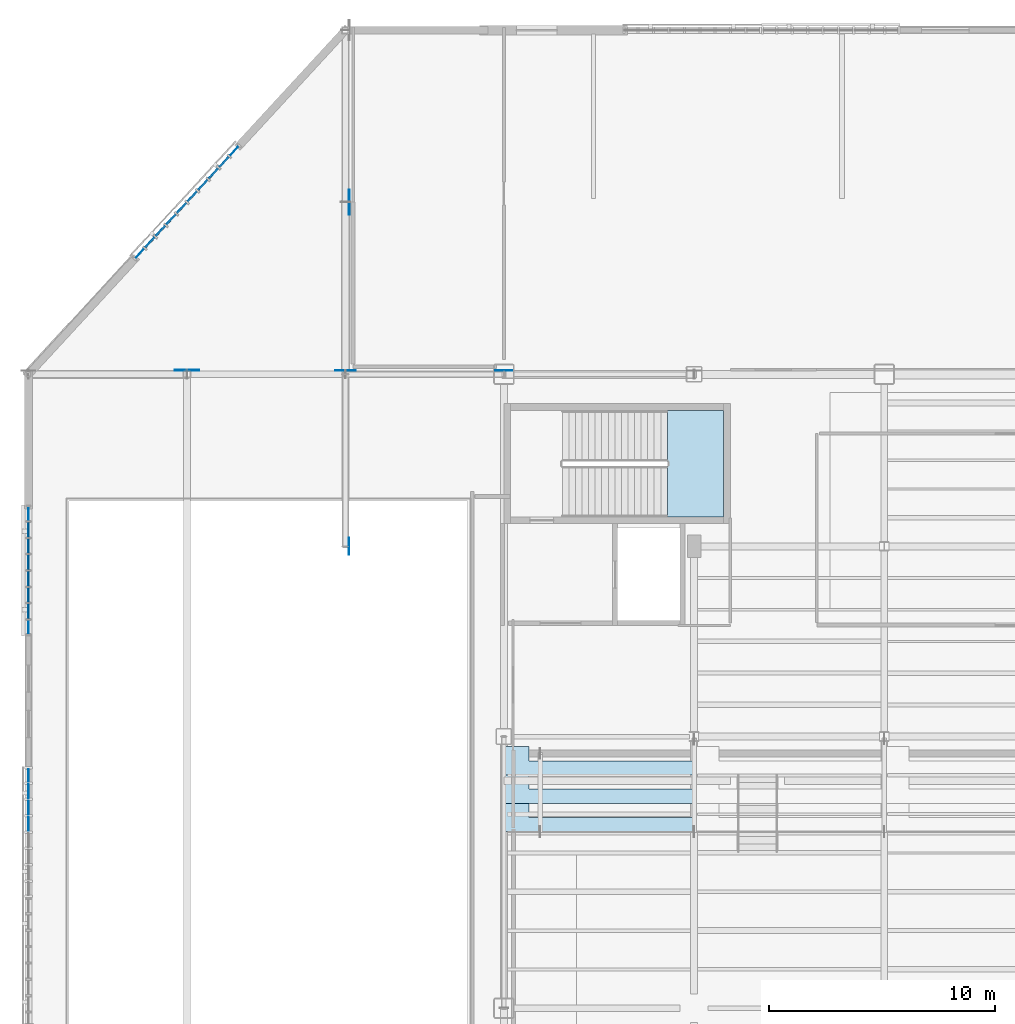
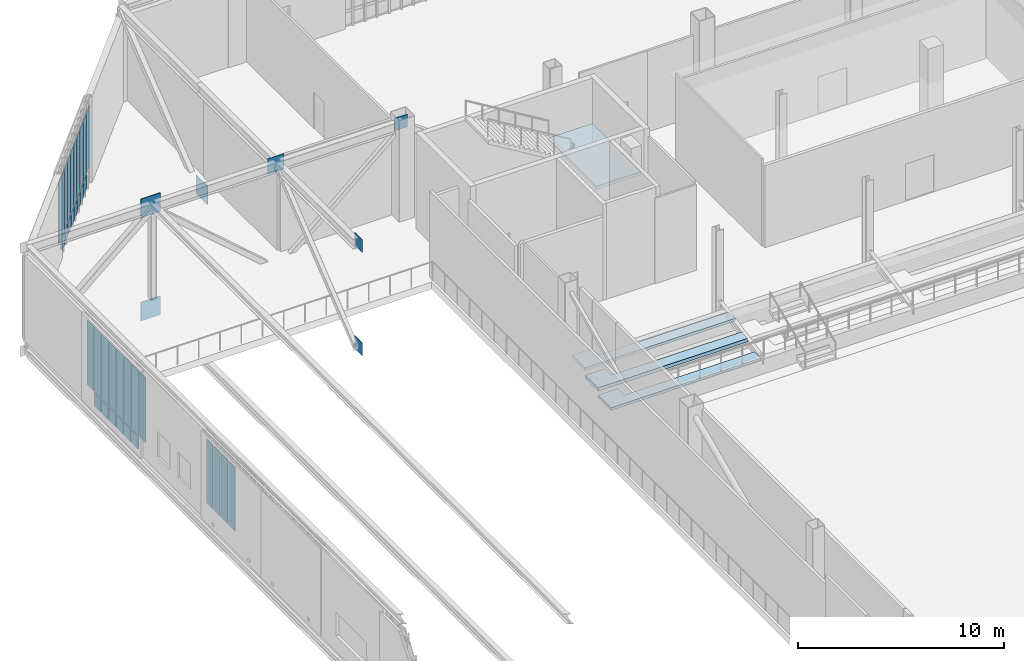
# One storey, part 73 of 135: 43 plates, 4 slabs, 4 elements without a shape of their own.
"""IFC4 building model written with IfcOpenShell, lengths in metres."""

import ifcopenshell
import ifcopenshell.guid

model = None  # the IFC model being written
_history = None  # IfcOwnerHistory: only IFC2X3 demands one
_inside = {}  # id of a spatial element -> (the spatial element, [elements in it])
_under = {}  # id of a project, library or spatial element -> (it, [spatial elements below it])
_declared = {}  # id of a project -> (the project, [libraries it declares])
_typed = {}  # id of a type object -> (the type object, [elements of that type])
_made_of = {}  # id of a material, layer set ... -> (it, [elements and type objects made of it])


def new_model(schema):
    """Start an empty IFC model of exactly this schema.

    Asked for "IFC4X3", IfcOpenShell would pick the latest addendum, in which some entities
    have other attributes; the version numbers below select the first issue.
    IFC2X3 requires an IfcOwnerHistory on every rooted entity: one is made here for all.
    """
    global model, _history
    if schema == "IFC4X3":
        model = ifcopenshell.file(schema_version=(4, 3, 0, 0))
    else:
        model = ifcopenshell.file(schema=schema)
    _inside.clear()
    _under.clear()
    _declared.clear()
    _typed.clear()
    _made_of.clear()
    _history = None
    if model.schema == "IFC2X3":
        org = make("IfcOrganization", Name="unknown")
        user = make(
            "IfcPersonAndOrganization",
            ThePerson=make("IfcPerson", FamilyName="unknown"),
            TheOrganization=org,
        )
        app = make(
            "IfcApplication",
            ApplicationDeveloper=org,
            Version="unknown",
            ApplicationFullName="unknown",
            ApplicationIdentifier="unknown",
        )
        _history = make(
            "IfcOwnerHistory",
            OwningUser=user,
            OwningApplication=app,
            ChangeAction="ADDED",
            CreationDate=0,
        )
    return model


def make(cls, **values):
    """One entity of the class cls with the attributes given. An attribute that is None is left unset."""
    return model.create_entity(
        cls, **{name: value for name, value in values.items() if value is not None}
    )


def rooted(cls, **values):
    """An entity with a GlobalId (a new one), such as an element, a storey or a relation."""
    return make(cls, GlobalId=ifcopenshell.guid.new(), OwnerHistory=_history, **values)


def si_unit(unit_type, name, prefix=None):
    """IfcSIUnit, for example si_unit("LENGTHUNIT", "METRE", prefix="MILLI")."""
    return make("IfcSIUnit", UnitType=unit_type, Prefix=prefix, Name=name)


def assignment(units):
    """IfcUnitAssignment: the units of a project."""
    return None if units is None else make("IfcUnitAssignment", Units=units)


def point(xyz):
    """IfcCartesianPoint."""
    return None if xyz is None else make("IfcCartesianPoint", Coordinates=xyz)


def direction(xyz):
    """IfcDirection."""
    return None if xyz is None else make("IfcDirection", DirectionRatios=xyz)


def frame(location, z_axis=None, x_axis=None):
    """IfcAxis2Placement3D, a coordinate frame: its origin and axes. An axis left out is left unset."""
    return make(
        "IfcAxis2Placement3D",
        Location=point(location),
        Axis=direction(z_axis),
        RefDirection=direction(x_axis),
    )


def frame_2d(location, x_axis=None):
    """IfcAxis2Placement2D, a coordinate frame in the plane: its origin and x axis."""
    return make(
        "IfcAxis2Placement2D", Location=point(location), RefDirection=direction(x_axis)
    )


def origin():
    """The frame at (0, 0, 0) with its axes left unset."""
    return frame((0.0, 0.0, 0.0))


def origin_2d():
    """The frame at (0, 0) in the plane with its x axis left unset."""
    return frame_2d((0.0, 0.0))


def place(relative_to, where):
    """IfcLocalPlacement: puts the frame where relative to a parent placement (None: the world)."""
    return make(
        "IfcLocalPlacement", PlacementRelTo=relative_to, RelativePlacement=where
    )


def context(
    kind, dimensions, precision=None, world=None, true_north=None, identifier=None
):
    """IfcGeometricRepresentationContext, for example the 3D "Model" context."""
    return make(
        "IfcGeometricRepresentationContext",
        ContextIdentifier=identifier,
        ContextType=kind,
        CoordinateSpaceDimension=dimensions,
        Precision=precision,
        WorldCoordinateSystem=world,
        TrueNorth=true_north,
    )


def subcontext(parent, identifier, kind, view, scale=None):
    """IfcGeometricRepresentationSubContext, for example "Body" below "Model"."""
    return make(
        "IfcGeometricRepresentationSubContext",
        ContextIdentifier=identifier,
        ContextType=kind,
        ParentContext=parent,
        TargetScale=scale,
        TargetView=view,
    )


def project(units=None, contexts=None):
    """IfcProject with its units and contexts."""
    return rooted(
        "IfcProject",
        Name="project",
        RepresentationContexts=contexts,
        UnitsInContext=assignment(units),
    )


def spatial(cls, under=None, at=None, **own):
    """A site, building, storey or space (cls), placed at a placement, below another one or the project."""
    s = rooted(cls, ObjectPlacement=at, **own)
    if under is not None:
        _under.setdefault(under.id(), (under, []))[1].append(s)
    return s


def polyline(points):
    """IfcPolyline through the points."""
    return make("IfcPolyline", Points=[point(p) for p in points])


def profile(cls, at=None, kind="AREA", **sizes):
    """A parametric profile (cls). Its sizes go by their IFC names, for example OverallWidth=200.0."""
    return make(cls, ProfileType=kind, Position=at, **sizes)


def rectangle(**sizes):
    """IfcRectangleProfileDef."""
    return profile("IfcRectangleProfileDef", **sizes)


def outline(outer, holes=None, kind="AREA"):
    """IfcArbitraryClosedProfileDef: a profile drawn as a closed curve; with holes, ...WithVoids."""
    if holes is None:
        return make("IfcArbitraryClosedProfileDef", ProfileType=kind, OuterCurve=outer)
    return make(
        "IfcArbitraryProfileDefWithVoids",
        ProfileType=kind,
        OuterCurve=outer,
        InnerCurves=holes,
    )


def extrude(swept, where, along, depth):
    """IfcExtrudedAreaSolid: the profile swept, set in the frame where, extruded along a direction by depth."""
    return make(
        "IfcExtrudedAreaSolid",
        SweptArea=swept,
        Position=where,
        ExtrudedDirection=direction(along),
        Depth=depth,
    )


def shape(context_of_items, identifier, shape_type, items):
    """IfcShapeRepresentation: the items that make up one representation, for example the "Body"."""
    return make(
        "IfcShapeRepresentation",
        ContextOfItems=context_of_items,
        RepresentationIdentifier=identifier,
        RepresentationType=shape_type,
        Items=items,
    )


def material(Name=None, Category=None):
    """IfcMaterial."""
    return make("IfcMaterial", Name=Name, Category=Category)


def layer(
    of_material, thickness, ventilated=None, Name=None, Category=None, Priority=None
):
    """IfcMaterialLayer: one layer of a wall or slab, of a material (None: an air gap)."""
    return make(
        "IfcMaterialLayer",
        Material=of_material,
        LayerThickness=thickness,
        IsVentilated=ventilated,
        Name=Name,
        Category=Category,
        Priority=Priority,
    )


def layer_set(layers, Name=None):
    """IfcMaterialLayerSet."""
    return make("IfcMaterialLayerSet", MaterialLayers=layers, LayerSetName=Name)


def made_of(thing, what):
    """Note that an element or type object is made of a material, layer set ...; save() writes the relation."""
    if what is not None:
        _made_of.setdefault(what.id(), (what, []))[1].append(thing)
    return thing


def type_object(cls, material=None, **own):
    """A type object (cls), such as IfcWallType, which elements share."""
    return made_of(rooted(cls, **own), material)


def element(
    cls,
    number,
    at=None,
    inside=None,
    cuts=None,
    type_object=None,
    material=None,
    context=None,
    identifier="Body",
    shape_type=None,
    held_by="IfcProductDefinitionShape",
    body=None,
    shapes=None,
    **own,
):
    """One element of the class cls, such as IfcWall. Its Tag is "e" and its number.

    at: its placement. inside: the storey or other place that contains it. cuts: it is an
    opening in that element (IfcRelVoidsElement). A single representation is given by context,
    identifier, shape_type and body (its items); several are given by shapes. held_by: the class
    of the entity that holds the representations. save() writes the other relations.
    """
    e = rooted(cls, Tag="e%d" % number, ObjectPlacement=at, **own)
    if body is not None:
        shapes = [shape(context, identifier, shape_type, body)]
    if shapes is not None:
        e.Representation = make(held_by, Representations=shapes)
    if inside is not None:
        _inside.setdefault(inside.id(), (inside, []))[1].append(e)
    if cuts is not None:
        rooted(
            "IfcRelVoidsElement", RelatingBuildingElement=cuts, RelatedOpeningElement=e
        )
    if type_object is not None:
        _typed.setdefault(type_object.id(), (type_object, []))[1].append(e)
    return made_of(e, material)


def aggregate(whole, parts):
    """IfcRelAggregates: a whole, such as a stair, and the parts it consists of."""
    return rooted("IfcRelAggregates", RelatingObject=whole, RelatedObjects=parts)


def save(model, path):
    """Write the relations noted so far, then the file.

    IfcRelAggregates (storeys below a building ...), IfcRelContainedInSpatialStructure (elements
    in a storey), IfcRelDefinesByType, IfcRelAssociatesMaterial and IfcRelDeclares: one each for
    every whole, place, type object, material and project.
    """
    for whole, parts in _under.values():
        aggregate(whole, parts)
    for where, things in _inside.values():
        rooted(
            "IfcRelContainedInSpatialStructure",
            RelatedElements=things,
            RelatingStructure=where,
        )
    for kind, things in _typed.values():
        rooted("IfcRelDefinesByType", RelatedObjects=things, RelatingType=kind)
    for what, things in _made_of.values():
        rooted("IfcRelAssociatesMaterial", RelatedObjects=things, RelatingMaterial=what)
    for by, libraries in _declared.values():
        rooted("IfcRelDeclares", RelatingContext=by, RelatedDefinitions=libraries)
    model.write(path)


model = new_model("IFC4")

# Units and contexts
model_context = context("Model", 3, precision=1e-05, world=origin(), true_north=direction((0.0, 1.0)))
body_context = subcontext(model_context, "Body", "Model", "MODEL_VIEW")
ifc_project = project(units=[si_unit("LENGTHUNIT", "METRE"), si_unit("AREAUNIT", "SQUARE_METRE"), si_unit("VOLUMEUNIT", "CUBIC_METRE"), si_unit("PLANEANGLEUNIT", "RADIAN"), si_unit("MASSUNIT", "GRAM", prefix="KILO")], contexts=[model_context])

# Site, building, storey
site_placement = place(None, origin())
site = spatial("IfcSite", under=ifc_project, at=site_placement, CompositionType="ELEMENT")
building_placement = place(site_placement, origin())
building = spatial("IfcBuilding", under=site, at=building_placement, Name="Larkvane Passage Sports Hall", CompositionType="ELEMENT")
storey_placement = place(building_placement, frame((0.0, 0.0, 10.800048828125)))
storey = spatial("IfcBuildingStorey", under=building, at=storey_placement, Name="L02", CompositionType="ELEMENT", Elevation=10.800048828125)

# Curtain wall, plates
ifc_material_1 = material(Name="Thermally broken aluminium and low-E glazing", Category="aluminium")
curtain_wall_type_1 = type_object("IfcCurtainWallType", Name="CW-UNIT-COURT", PredefinedType="USERDEFINED", material=ifc_material_1)
curtain_wall_1_placement = place(storey_placement, origin())
curtain_wall_1 = element("IfcCurtainWall", 1, at=curtain_wall_1_placement, inside=storey, type_object=curtain_wall_type_1, Name="Curtain wall CW5-L02-096", ObjectType="UNITISED CURTAIN WALL", PredefinedType="USERDEFINED")
ifc_material_2 = material(Name="Insulated aluminium spandrel panel", Category="aluminium")
ifc_layer_1 = layer(ifc_material_2, 0.06494140625)
ifc_layer_set_1 = layer_set([ifc_layer_1], Name="Insulated aluminium spandrel panel")
plate_type_1 = type_object("IfcPlateType", Name="CWP-SPD-65", PredefinedType="CURTAIN_PANEL", material=ifc_layer_set_1)
plate_1_placement = place(storey_placement, frame((13.800048828125, 81.127685546875, 0.06494140625), z_axis=(0.0, 0.0, 1.0), x_axis=(0.0, 1.0, 0.0)))
plate_1 = element("IfcPlate", 2, at=plate_1_placement, type_object=plate_type_1, Name="CW-01 panel 2.1", PredefinedType="CURTAIN_PANEL", context=body_context, shape_type="SweptSolid", body=[
    extrude(rectangle(XDim=0.6572265625, YDim=0.06494140625, at=origin_2d()), origin(), (0.0, 0.0, 1.0), 0.75244140625),
])
plate_2_placement = place(storey_placement, frame((13.800048828125, 81.849853515625, 0.06494140625), z_axis=(0.0, 0.0, 1.0), x_axis=(0.0, 1.0, 0.0)))
plate_2 = element("IfcPlate", 3, at=plate_2_placement, type_object=plate_type_1, Name="CW-01 panel 3.1", PredefinedType="CURTAIN_PANEL", context=body_context, shape_type="SweptSolid", body=[
    extrude(rectangle(XDim=0.6572265625, YDim=0.06494140625, at=origin_2d()), origin(), (0.0, 0.0, 1.0), 0.75244140625),
])
plate_3_placement = place(storey_placement, frame((13.800048828125, 82.572265625, 0.06494140625), z_axis=(0.0, 0.0, 1.0), x_axis=(0.0, 1.0, 0.0)))
plate_3 = element("IfcPlate", 4, at=plate_3_placement, type_object=plate_type_1, Name="CW-01 panel 4.1", PredefinedType="CURTAIN_PANEL", context=body_context, shape_type="SweptSolid", body=[
    extrude(rectangle(XDim=0.6572265625, YDim=0.06494140625, at=origin_2d()), origin(), (0.0, 0.0, 1.0), 0.75244140625),
])
plate_4_placement = place(storey_placement, frame((13.800048828125, 83.29443359375, 0.06494140625), z_axis=(0.0, 0.0, 1.0), x_axis=(0.0, 1.0, 0.0)))
plate_4 = element("IfcPlate", 5, at=plate_4_placement, type_object=plate_type_1, Name="CW-01 panel 5.1", PredefinedType="CURTAIN_PANEL", context=body_context, shape_type="SweptSolid", body=[
    extrude(rectangle(XDim=0.6572265625, YDim=0.06494140625, at=origin_2d()), origin(), (0.0, 0.0, 1.0), 0.75244140625),
])
plate_5_placement = place(storey_placement, frame((13.800048828125, 84.0166015625, 0.06494140625), z_axis=(0.0, 0.0, 1.0), x_axis=(0.0, 1.0, 0.0)))
plate_5 = element("IfcPlate", 6, at=plate_5_placement, type_object=plate_type_1, Name="CW-01 panel 6.1", PredefinedType="CURTAIN_PANEL", context=body_context, shape_type="SweptSolid", body=[
    extrude(rectangle(XDim=0.6572265625, YDim=0.06494140625, at=origin_2d()), origin(), (0.0, 0.0, 1.0), 0.75244140625),
])
plate_6_placement = place(storey_placement, frame((13.800048828125, 84.73876953125, 0.06494140625), z_axis=(0.0, 0.0, 1.0), x_axis=(0.0, 1.0, 0.0)))
plate_6 = element("IfcPlate", 7, at=plate_6_placement, type_object=plate_type_1, Name="CW-01 panel 7.1", PredefinedType="CURTAIN_PANEL", context=body_context, shape_type="SweptSolid", body=[
    extrude(rectangle(XDim=0.6572265625, YDim=0.06494140625, at=origin_2d()), origin(), (0.0, 0.0, 1.0), 0.75244140625),
])

curtain_wall_type_2 = type_object("IfcCurtainWallType", Name="CW-UNIT-VEIL", PredefinedType="USERDEFINED", material=ifc_material_1)
curtain_wall_2_placement = place(storey_placement, origin())
curtain_wall_2 = element("IfcCurtainWall", 8, at=curtain_wall_2_placement, inside=storey, type_object=curtain_wall_type_2, Name="Curtain wall CW5-L02-097", ObjectType="UNITISED CURTAIN WALL", PredefinedType="USERDEFINED")
ifc_material_3 = material(Name="Mineral-wool insulated spandrel cassette")
ifc_layer_2 = layer(ifc_material_3, 0.0849609375)
ifc_layer_set_2 = layer_set([ifc_layer_2], Name="Mineral-wool insulated spandrel cassette")
plate_type_2 = type_object("IfcPlateType", Name="CWP-SPD-85", PredefinedType="CURTAIN_PANEL", material=ifc_layer_set_2)
plate_7_placement = place(storey_placement, frame((19.166748046875, 97.4267578125, 0.07470703125), z_axis=(0.0, 0.0, 1.0), x_axis=(0.677475341367, 0.735545485908, 0.0)))
plate_7 = element("IfcPlate", 9, at=plate_7_placement, type_object=plate_type_2, Name="CW-02 panel 2.1", PredefinedType="CURTAIN_PANEL", context=body_context, shape_type="SweptSolid", body=[
    extrude(rectangle(XDim=0.61376953125, YDim=0.0849609375, at=origin_2d()), origin(), (0.0, 0.0, 1.0), 0.737548828125),
])
plate_8_placement = place(storey_placement, frame((19.63330078125, 97.933349609375, 0.07470703125), z_axis=(0.0, 0.0, 1.0), x_axis=(0.677475341367, 0.735545485908, 0.0)))
plate_8 = element("IfcPlate", 10, at=plate_8_placement, type_object=plate_type_2, Name="CW-02 panel 3.1", PredefinedType="CURTAIN_PANEL", context=body_context, shape_type="SweptSolid", body=[
    extrude(rectangle(XDim=0.61376953125, YDim=0.0849609375, at=origin_2d()), origin(), (0.0, 0.0, 1.0), 0.737548828125),
])
plate_9_placement = place(storey_placement, frame((20.10009765625, 98.43994140625, 0.07470703125), z_axis=(0.0, 0.0, 1.0), x_axis=(0.677475341367, 0.735545485908, 0.0)))
plate_9 = element("IfcPlate", 11, at=plate_9_placement, type_object=plate_type_2, Name="CW-02 panel 4.1", PredefinedType="CURTAIN_PANEL", context=body_context, shape_type="SweptSolid", body=[
    extrude(rectangle(XDim=0.61376953125, YDim=0.0849609375, at=origin_2d()), origin(), (0.0, 0.0, 1.0), 0.737548828125),
])
plate_10_placement = place(storey_placement, frame((20.566650390625, 98.94677734375, 0.07470703125), z_axis=(0.0, 0.0, 1.0), x_axis=(0.677475341367, 0.735545485908, 0.0)))
plate_10 = element("IfcPlate", 12, at=plate_10_placement, type_object=plate_type_2, Name="CW-02 panel 5.1", PredefinedType="CURTAIN_PANEL", context=body_context, shape_type="SweptSolid", body=[
    extrude(rectangle(XDim=0.61376953125, YDim=0.0849609375, at=origin_2d()), origin(), (0.0, 0.0, 1.0), 0.737548828125),
])
plate_11_placement = place(storey_placement, frame((21.033447265625, 99.453369140625, 0.07470703125), z_axis=(0.0, 0.0, 1.0), x_axis=(0.677475341367, 0.735545485908, 0.0)))
plate_11 = element("IfcPlate", 13, at=plate_11_placement, type_object=plate_type_2, Name="CW-02 panel 6.1", PredefinedType="CURTAIN_PANEL", context=body_context, shape_type="SweptSolid", body=[
    extrude(rectangle(XDim=0.61376953125, YDim=0.0849609375, at=origin_2d()), origin(), (0.0, 0.0, 1.0), 0.737548828125),
])
plate_12_placement = place(storey_placement, frame((21.5, 99.9599609375, 0.07470703125), z_axis=(0.0, 0.0, 1.0), x_axis=(0.677475341367, 0.735545485908, 0.0)))
plate_12 = element("IfcPlate", 14, at=plate_12_placement, type_object=plate_type_2, Name="CW-02 panel 7.1", PredefinedType="CURTAIN_PANEL", context=body_context, shape_type="SweptSolid", body=[
    extrude(rectangle(XDim=0.61376953125, YDim=0.0849609375, at=origin_2d()), origin(), (0.0, 0.0, 1.0), 0.737548828125),
])
plate_13_placement = place(storey_placement, frame((21.966552734375, 100.466552734375, 0.07470703125), z_axis=(0.0, 0.0, 1.0), x_axis=(0.677475341367, 0.735545485908, 0.0)))
plate_13 = element("IfcPlate", 15, at=plate_13_placement, type_object=plate_type_2, Name="CW-02 panel 8.1", PredefinedType="CURTAIN_PANEL", context=body_context, shape_type="SweptSolid", body=[
    extrude(rectangle(XDim=0.61376953125, YDim=0.0849609375, at=origin_2d()), origin(), (0.0, 0.0, 1.0), 0.737548828125),
])
plate_14_placement = place(storey_placement, frame((22.433349609375, 100.973388671875, 0.07470703125), z_axis=(0.0, 0.0, 1.0), x_axis=(0.677475341367, 0.735545485908, 0.0)))
plate_14 = element("IfcPlate", 16, at=plate_14_placement, type_object=plate_type_2, Name="CW-02 panel 9.1", PredefinedType="CURTAIN_PANEL", context=body_context, shape_type="SweptSolid", body=[
    extrude(rectangle(XDim=0.61376953125, YDim=0.0849609375, at=origin_2d()), origin(), (0.0, 0.0, 1.0), 0.737548828125),
])

# Plate
ifc_material_4 = material(Name="Solar-control low-E double glazing", Category="glass")
ifc_layer_3 = layer(ifc_material_4, 0.028076171875)
ifc_layer_set_3 = layer_set([ifc_layer_3], Name="Solar-control low-E double glazing")
plate_type_3 = type_object("IfcPlateType", Name="CWP-VIS-28", PredefinedType="CURTAIN_PANEL", material=ifc_layer_set_3)
plate_15_placement = place(storey_placement, frame((13.800048828125, 80.421875, 0.882568359375), z_axis=(0.0, 0.0, 1.0), x_axis=(0.0, 1.0, 0.0)))
plate_15 = element("IfcPlate", 17, at=plate_15_placement, type_object=plate_type_3, Name="CW-01 panel 1.2", PredefinedType="CURTAIN_PANEL", context=body_context, shape_type="SweptSolid", body=[
    extrude(rectangle(XDim=0.624755859375, YDim=0.028076171875, at=origin_2d()), origin(), (0.0, 0.0, 1.0), 3.81298828125),
])

plate_16_placement = place(storey_placement, frame((13.800048828125, 81.127685546875, 0.882568359375), z_axis=(0.0, 0.0, 1.0), x_axis=(0.0, 1.0, 0.0)))
plate_16 = element("IfcPlate", 18, at=plate_16_placement, type_object=plate_type_3, Name="CW-01 panel 2.2", PredefinedType="CURTAIN_PANEL", context=body_context, shape_type="SweptSolid", body=[
    extrude(rectangle(XDim=0.6572265625, YDim=0.028076171875, at=origin_2d()), origin(), (0.0, 0.0, 1.0), 3.81298828125),
])

plate_17_placement = place(storey_placement, frame((13.800048828125, 81.849853515625, 0.882568359375), z_axis=(0.0, 0.0, 1.0), x_axis=(0.0, 1.0, 0.0)))
plate_17 = element("IfcPlate", 19, at=plate_17_placement, type_object=plate_type_3, Name="CW-01 panel 3.2", PredefinedType="CURTAIN_PANEL", context=body_context, shape_type="SweptSolid", body=[
    extrude(rectangle(XDim=0.6572265625, YDim=0.028076171875, at=origin_2d()), origin(), (0.0, 0.0, 1.0), 3.81298828125),
])

plate_18_placement = place(storey_placement, frame((13.800048828125, 82.572265625, 0.882568359375), z_axis=(0.0, 0.0, 1.0), x_axis=(0.0, 1.0, 0.0)))
plate_18 = element("IfcPlate", 20, at=plate_18_placement, type_object=plate_type_3, Name="CW-01 panel 4.2", PredefinedType="CURTAIN_PANEL", context=body_context, shape_type="SweptSolid", body=[
    extrude(rectangle(XDim=0.6572265625, YDim=0.028076171875, at=origin_2d()), origin(), (0.0, 0.0, 1.0), 3.81298828125),
])

plate_19_placement = place(storey_placement, frame((13.800048828125, 83.29443359375, 0.882568359375), z_axis=(0.0, 0.0, 1.0), x_axis=(0.0, 1.0, 0.0)))
plate_19 = element("IfcPlate", 21, at=plate_19_placement, type_object=plate_type_3, Name="CW-01 panel 5.2", PredefinedType="CURTAIN_PANEL", context=body_context, shape_type="SweptSolid", body=[
    extrude(rectangle(XDim=0.6572265625, YDim=0.028076171875, at=origin_2d()), origin(), (0.0, 0.0, 1.0), 3.81298828125),
])

plate_20_placement = place(storey_placement, frame((13.800048828125, 84.0166015625, 0.882568359375), z_axis=(0.0, 0.0, 1.0), x_axis=(0.0, 1.0, 0.0)))
plate_20 = element("IfcPlate", 22, at=plate_20_placement, type_object=plate_type_3, Name="CW-01 panel 6.2", PredefinedType="CURTAIN_PANEL", context=body_context, shape_type="SweptSolid", body=[
    extrude(rectangle(XDim=0.6572265625, YDim=0.028076171875, at=origin_2d()), origin(), (0.0, 0.0, 1.0), 3.81298828125),
])

plate_21_placement = place(storey_placement, frame((13.800048828125, 84.73876953125, 0.882568359375), z_axis=(0.0, 0.0, 1.0), x_axis=(0.0, 1.0, 0.0)))
plate_21 = element("IfcPlate", 23, at=plate_21_placement, type_object=plate_type_3, Name="CW-01 panel 7.2", PredefinedType="CURTAIN_PANEL", context=body_context, shape_type="SweptSolid", body=[
    extrude(rectangle(XDim=0.6572265625, YDim=0.028076171875, at=origin_2d()), origin(), (0.0, 0.0, 1.0), 3.81298828125),
])

plate_22_placement = place(storey_placement, frame((13.800048828125, 85.44482421875, 0.882568359375), z_axis=(0.0, 0.0, 1.0), x_axis=(0.0, 1.0, 0.0)))
plate_22 = element("IfcPlate", 24, at=plate_22_placement, type_object=plate_type_3, Name="CW-01 panel 8.2", PredefinedType="CURTAIN_PANEL", context=body_context, shape_type="SweptSolid", body=[
    extrude(rectangle(XDim=0.624755859375, YDim=0.028076171875, at=origin_2d()), origin(), (0.0, 0.0, 1.0), 3.81298828125),
])

aggregate(curtain_wall_1, [plate_15, plate_1, plate_16, plate_2, plate_17, plate_3, plate_18, plate_4, plate_19, plate_5, plate_20, plate_6, plate_21, plate_22])

ifc_material_5 = material(Name="Laminated acoustic low-E glazing", Category="glass")
ifc_layer_4 = layer(ifc_material_5, 0.031982421875)
ifc_layer_set_4 = layer_set([ifc_layer_4], Name="Laminated acoustic low-E glazing")
plate_type_4 = type_object("IfcPlateType", Name="CWP-VIS-32", PredefinedType="CURTAIN_PANEL", material=ifc_layer_set_4)
plate_23_placement = place(storey_placement, frame((18.712646484375, 96.933837890625, 0.887451171875), z_axis=(0.0, 0.0, 1.0), x_axis=(0.677475341367, 0.735545485908, 0.0)))
plate_23 = element("IfcPlate", 25, at=plate_23_placement, type_object=plate_type_4, Name="CW-02 panel 1.2", PredefinedType="CURTAIN_PANEL", context=body_context, shape_type="SweptSolid", body=[
    extrude(rectangle(XDim=0.576416015625, YDim=0.031982421875, at=origin_2d()), origin(), (0.0, 0.0, 1.0), 3.60498046875),
])

plate_24_placement = place(storey_placement, frame((19.166748046875, 97.4267578125, 0.887451171875), z_axis=(0.0, 0.0, 1.0), x_axis=(0.677475341367, 0.735545485908, 0.0)))
plate_24 = element("IfcPlate", 26, at=plate_24_placement, type_object=plate_type_4, Name="CW-02 panel 2.2", PredefinedType="CURTAIN_PANEL", context=body_context, shape_type="SweptSolid", body=[
    extrude(rectangle(XDim=0.61376953125, YDim=0.031982421875, at=origin_2d()), origin(), (0.0, 0.0, 1.0), 3.60498046875),
])

plate_25_placement = place(storey_placement, frame((19.63330078125, 97.933349609375, 0.887451171875), z_axis=(0.0, 0.0, 1.0), x_axis=(0.677475341367, 0.735545485908, 0.0)))
plate_25 = element("IfcPlate", 27, at=plate_25_placement, type_object=plate_type_4, Name="CW-02 panel 3.2", PredefinedType="CURTAIN_PANEL", context=body_context, shape_type="SweptSolid", body=[
    extrude(rectangle(XDim=0.61376953125, YDim=0.031982421875, at=origin_2d()), origin(), (0.0, 0.0, 1.0), 3.60498046875),
])

plate_26_placement = place(storey_placement, frame((20.10009765625, 98.43994140625, 0.887451171875), z_axis=(0.0, 0.0, 1.0), x_axis=(0.677475341367, 0.735545485908, 0.0)))
plate_26 = element("IfcPlate", 28, at=plate_26_placement, type_object=plate_type_4, Name="CW-02 panel 4.2", PredefinedType="CURTAIN_PANEL", context=body_context, shape_type="SweptSolid", body=[
    extrude(rectangle(XDim=0.61376953125, YDim=0.031982421875, at=origin_2d()), origin(), (0.0, 0.0, 1.0), 3.60498046875),
])

plate_27_placement = place(storey_placement, frame((20.566650390625, 98.94677734375, 0.887451171875), z_axis=(0.0, 0.0, 1.0), x_axis=(0.677475341367, 0.735545485908, 0.0)))
plate_27 = element("IfcPlate", 29, at=plate_27_placement, type_object=plate_type_4, Name="CW-02 panel 5.2", PredefinedType="CURTAIN_PANEL", context=body_context, shape_type="SweptSolid", body=[
    extrude(rectangle(XDim=0.61376953125, YDim=0.031982421875, at=origin_2d()), origin(), (0.0, 0.0, 1.0), 3.60498046875),
])

plate_28_placement = place(storey_placement, frame((21.033447265625, 99.453369140625, 0.887451171875), z_axis=(0.0, 0.0, 1.0), x_axis=(0.677475341367, 0.735545485908, 0.0)))
plate_28 = element("IfcPlate", 30, at=plate_28_placement, type_object=plate_type_4, Name="CW-02 panel 6.2", PredefinedType="CURTAIN_PANEL", context=body_context, shape_type="SweptSolid", body=[
    extrude(rectangle(XDim=0.61376953125, YDim=0.031982421875, at=origin_2d()), origin(), (0.0, 0.0, 1.0), 3.60498046875),
])

plate_29_placement = place(storey_placement, frame((21.5, 99.9599609375, 0.887451171875), z_axis=(0.0, 0.0, 1.0), x_axis=(0.677475341367, 0.735545485908, 0.0)))
plate_29 = element("IfcPlate", 31, at=plate_29_placement, type_object=plate_type_4, Name="CW-02 panel 7.2", PredefinedType="CURTAIN_PANEL", context=body_context, shape_type="SweptSolid", body=[
    extrude(rectangle(XDim=0.61376953125, YDim=0.031982421875, at=origin_2d()), origin(), (0.0, 0.0, 1.0), 3.60498046875),
])

plate_30_placement = place(storey_placement, frame((21.966552734375, 100.466552734375, 0.887451171875), z_axis=(0.0, 0.0, 1.0), x_axis=(0.677475341367, 0.735545485908, 0.0)))
plate_30 = element("IfcPlate", 32, at=plate_30_placement, type_object=plate_type_4, Name="CW-02 panel 8.2", PredefinedType="CURTAIN_PANEL", context=body_context, shape_type="SweptSolid", body=[
    extrude(rectangle(XDim=0.61376953125, YDim=0.031982421875, at=origin_2d()), origin(), (0.0, 0.0, 1.0), 3.60498046875),
])

plate_31_placement = place(storey_placement, frame((22.433349609375, 100.973388671875, 0.887451171875), z_axis=(0.0, 0.0, 1.0), x_axis=(0.677475341367, 0.735545485908, 0.0)))
plate_31 = element("IfcPlate", 33, at=plate_31_placement, type_object=plate_type_4, Name="CW-02 panel 9.2", PredefinedType="CURTAIN_PANEL", context=body_context, shape_type="SweptSolid", body=[
    extrude(rectangle(XDim=0.61376953125, YDim=0.031982421875, at=origin_2d()), origin(), (0.0, 0.0, 1.0), 3.60498046875),
])

plate_32_placement = place(storey_placement, frame((22.88720703125, 101.466064453125, 0.887451171875), z_axis=(0.0, 0.0, 1.0), x_axis=(0.677475341367, 0.735545485908, 0.0)))
plate_32 = element("IfcPlate", 34, at=plate_32_placement, type_object=plate_type_4, Name="CW-02 panel 10.2", PredefinedType="CURTAIN_PANEL", context=body_context, shape_type="SweptSolid", body=[
    extrude(rectangle(XDim=0.576416015625, YDim=0.031982421875, at=origin_2d()), origin(), (0.0, 0.0, 1.0), 3.60498046875),
])

aggregate(curtain_wall_2, [plate_23, plate_7, plate_24, plate_8, plate_25, plate_9, plate_26, plate_10, plate_27, plate_11, plate_28, plate_12, plate_29, plate_13, plate_30, plate_14, plate_31, plate_32])

# Curtain wall, plates
curtain_wall_type_3 = type_object("IfcCurtainWallType", Name="CW-CLINIC", PredefinedType="USERDEFINED", material=ifc_material_1)
curtain_wall_3_placement = place(storey_placement, origin())
curtain_wall_3 = element("IfcCurtainWall", 35, at=curtain_wall_3_placement, inside=storey, type_object=curtain_wall_type_3, Name="Curtain wall CW5-L02-095", ObjectType="UNITISED CURTAIN WALL", PredefinedType="USERDEFINED")
ifc_material_6 = material(Name="Triple-laminated typhoon glazing", Category="glass")
ifc_layer_5 = layer(ifc_material_6, 0.0419921875)
ifc_layer_set_5 = layer_set([ifc_layer_5], Name="Triple-laminated typhoon glazing")
plate_type_5 = type_object("IfcPlateType", Name="CWP-VIS-42", PredefinedType="CURTAIN_PANEL", material=ifc_layer_set_5)
plate_33_placement = place(storey_placement, frame((13.800048828125, 71.739013671875, 0.905029296875), z_axis=(0.0, 0.0, 1.0), x_axis=(0.0, 1.0, 0.0)))
plate_33 = element("IfcPlate", 36, at=plate_33_placement, type_object=plate_type_5, Name="CW-05 panel 5.2", PredefinedType="CURTAIN_PANEL", context=body_context, shape_type="SweptSolid", body=[
    extrude(rectangle(XDim=0.6123046875, YDim=0.0419921875, at=origin_2d()), origin(), (0.0, 0.0, 1.0), 3.76806640625),
])
plate_34_placement = place(storey_placement, frame((13.800048828125, 72.461181640625, 0.905029296875), z_axis=(0.0, 0.0, 1.0), x_axis=(0.0, 1.0, 0.0)))
plate_34 = element("IfcPlate", 37, at=plate_34_placement, type_object=plate_type_5, Name="CW-05 panel 6.2", PredefinedType="CURTAIN_PANEL", context=body_context, shape_type="SweptSolid", body=[
    extrude(rectangle(XDim=0.6123046875, YDim=0.0419921875, at=origin_2d()), origin(), (0.0, 0.0, 1.0), 3.76806640625),
])
plate_35_placement = place(storey_placement, frame((13.800048828125, 73.183349609375, 0.905029296875), z_axis=(0.0, 0.0, 1.0), x_axis=(0.0, 1.0, 0.0)))
plate_35 = element("IfcPlate", 38, at=plate_35_placement, type_object=plate_type_5, Name="CW-05 panel 7.2", PredefinedType="CURTAIN_PANEL", context=body_context, shape_type="SweptSolid", body=[
    extrude(rectangle(XDim=0.6123046875, YDim=0.0419921875, at=origin_2d()), origin(), (0.0, 0.0, 1.0), 3.76806640625),
])
plate_36_placement = place(storey_placement, frame((13.800048828125, 73.878173828125, 0.905029296875), z_axis=(0.0, 0.0, 1.0), x_axis=(0.0, 1.0, 0.0)))
plate_36 = element("IfcPlate", 39, at=plate_36_placement, type_object=plate_type_5, Name="CW-05 panel 8.2", PredefinedType="CURTAIN_PANEL", context=body_context, shape_type="SweptSolid", body=[
    extrude(rectangle(XDim=0.55712890625, YDim=0.0419921875, at=origin_2d()), origin(), (0.0, 0.0, 1.0), 3.76806640625),
])
aggregate(curtain_wall_3, [plate_33, plate_34, plate_35, plate_36])

# Plates
ifc_material_7 = material(Name="Steel S460N", Category="steel")
ifc_layer_6 = layer(ifc_material_7, 0.02392578125)
ifc_layer_set_6 = layer_set([ifc_layer_6], Name="Steel S460N")
plate_type_6 = type_object("IfcPlateType", Name="PLT-GUS-24", PredefinedType="USERDEFINED", material=ifc_layer_set_6)
for number, where, z_axis, x_axis, name in (
    (40, (34.800048828125, 91.761962890625, 5.010986328125), (0.0, 0.0, 1.0), (1.0, 0.0, 0.0), "Truss node gusset plate ND-4T (CT-W2A-2)"),
    (41, (27.9619140625, 84.0, -1.089111328125), (0.0, 0.0, 1.0), (0.0, 1.0, 0.0), "Truss node gusset plate ND-1B (CT-N2A-1)"),
    (42, (27.9619140625, 84.0, 5.010986328125), (0.0, 0.0, 1.0), (0.0, 1.0, 0.0), "Truss node gusset plate ND-1T (CT-N2A-1)"),
):
    element("IfcPlate", number, at=place(storey_placement, frame(where, z_axis=z_axis, x_axis=x_axis)), inside=storey, type_object=plate_type_6, Name=name, ObjectType="GUSSET PLATE", PredefinedType="USERDEFINED", context=body_context, shape_type="SweptSolid", body=[
        extrude(rectangle(XDim=0.75, YDim=0.02392578125, at=origin_2d()), origin(), (0.0, 0.0, 1.0), 0.75),
    ])
ifc_layer_7 = layer(ifc_material_7, 0.031982421875)
ifc_layer_set_7 = layer_set([ifc_layer_7], Name="Steel S460N")
plate_type_7 = type_object("IfcPlateType", Name="PLT-GUS-32", PredefinedType="USERDEFINED", material=ifc_layer_set_7)
plate_37_placement = place(storey_placement, frame((27.800048828125, 91.76611328125, 4.93603515625), z_axis=(0.0, 0.0, 1.0), x_axis=(1.0, 0.0, 0.0)))
element("IfcPlate", 43, at=plate_37_placement, inside=storey, type_object=plate_type_7, Name="Truss node gusset plate ND-3T (CT-W2A-2)", ObjectType="GUSSET PLATE", PredefinedType="USERDEFINED", context=body_context, shape_type="SweptSolid", body=[
    extrude(rectangle(XDim=0.89990234375, YDim=0.031982421875, at=origin_2d()), origin(), (0.0, 0.0, 1.0), 0.89990234375),
])
ifc_layer_8 = layer(ifc_material_7, 0.0400390625)
ifc_layer_set_8 = layer_set([ifc_layer_8], Name="Steel S460N")
plate_type_8 = type_object("IfcPlateType", Name="PLT-GUS-40", PredefinedType="USERDEFINED", material=ifc_layer_set_8)
for number, where, z_axis, x_axis, name in (
    (44, (20.800048828125, 91.77001953125, -1.26416015625), (0.0, 0.0, 1.0), (1.0, 0.0, 0.0), "Truss node gusset plate ND-2B (CT-W2A-2)"),
    (45, (20.800048828125, 91.77001953125, 4.8359375), (0.0, 0.0, 1.0), (1.0, 0.0, 0.0), "Truss node gusset plate ND-2T (CT-W2A-2)"),
    (46, (27.969970703125, 99.199951171875, -1.26416015625), (0.0, 0.0, 1.0), (0.0, 1.0, 0.0), "Truss node gusset plate ND-3B (CT-N2A-1)"),
):
    element("IfcPlate", number, at=place(storey_placement, frame(where, z_axis=z_axis, x_axis=x_axis)), inside=storey, type_object=plate_type_8, Name=name, ObjectType="GUSSET PLATE", PredefinedType="USERDEFINED", context=body_context, shape_type="SweptSolid", body=[
        extrude(rectangle(XDim=1.10009765625, YDim=0.0400390625, at=origin_2d()), origin(), (0.0, 0.0, 1.0), 1.10009765625),
    ])

# Stair, slab
ifc_material_8 = material(Name="Concrete C40/50", Category="concrete")
stair_type = type_object("IfcStairType", Name="STR-CORE-2250", PredefinedType="HALF_TURN_STAIR", material=ifc_material_8)
stair_placement = place(storey_placement, origin())
stair = element("IfcStair", 47, at=stair_placement, inside=storey, type_object=stair_type, Name="L02 Protected exit stair ST-02", PredefinedType="HALF_TURN_STAIR")
ifc_layer_9 = layer(ifc_material_8, 0.199951171875)
ifc_layer_set_9 = layer_set([ifc_layer_9], Name="Concrete C40/50")
slab_type_1 = type_object("IfcSlabType", Name="SLB-LAND-200", PredefinedType="LANDING", material=ifc_layer_set_9)
slab_1_placement = place(storey_placement, frame((0.0, 0.0, 2.800048828125)))
slab_1 = element("IfcSlab", 48, at=slab_1_placement, type_object=slab_type_1, Name="ST-02 landing 1", PredefinedType="LANDING", context=body_context, shape_type="SweptSolid", body=[
    extrude(outline(polyline([(42.02001953125, 85.300048828125), (44.5, 85.300048828125), (44.5, 90.0), (42.02001953125, 90.0), (42.02001953125, 85.300048828125)])), origin(), (0.0, 0.0, 1.0), 0.199951171875),
])
aggregate(stair, [slab_1])

# Slabs
ifc_material_9 = material(Name="Precast concrete C45/55", Category="concrete")
ifc_layer_10 = layer(ifc_material_9, 0.159912109375)
ifc_layer_set_10 = layer_set([ifc_layer_10], Name="Precast concrete C45/55")
slab_type_2 = type_object("IfcSlabType", Name="SLB-TIER-160", PredefinedType="USERDEFINED", material=ifc_layer_set_10)
slab_2_placement = place(storey_placement, frame((0.0, 0.0, 0.68994140625)))
element("IfcSlab", 49, at=slab_2_placement, inside=storey, type_object=slab_type_2, Name="Spectator Stand Tier N1-1", ObjectType="SEATING TIER", PredefinedType="USERDEFINED", context=body_context, shape_type="SweptSolid", body=[
    extrude(outline(polyline([(34.800048828125, 71.39990234375), (43.199951171875, 71.39990234375), (43.199951171875, 72.02490234375), (35.89990234375, 72.02490234375), (35.89990234375, 72.64990234375), (34.800048828125, 72.64990234375), (34.800048828125, 71.39990234375)])), origin(), (0.0, 0.0, 1.0), 0.159912109375),
])
slab_3_placement = place(storey_placement, frame((0.0, 0.0, 1.530029296875)))
element("IfcSlab", 50, at=slab_3_placement, inside=storey, type_object=slab_type_2, Name="Spectator Stand Tier N1-3", ObjectType="SEATING TIER", PredefinedType="USERDEFINED", context=body_context, shape_type="SweptSolid", body=[
    extrude(outline(polyline([(34.800048828125, 73.89990234375), (43.199951171875, 73.89990234375), (43.199951171875, 74.52490234375), (35.89990234375, 74.52490234375), (35.89990234375, 75.14990234375), (34.800048828125, 75.14990234375), (34.800048828125, 73.89990234375)])), origin(), (0.0, 0.0, 1.0), 0.159912109375),
])
ifc_layer_11 = layer(ifc_material_9, 0.205078125)
ifc_layer_set_11 = layer_set([ifc_layer_11], Name="Precast concrete C45/55")
slab_type_3 = type_object("IfcSlabType", Name="SLB-TIER-205", PredefinedType="USERDEFINED", material=ifc_layer_set_11)
slab_4_placement = place(storey_placement, frame((0.0, 0.0, 1.06494140625)))
element("IfcSlab", 51, at=slab_4_placement, inside=storey, type_object=slab_type_3, Name="Spectator Stand Tier N1-2", ObjectType="SEATING TIER", PredefinedType="USERDEFINED", context=body_context, shape_type="SweptSolid", body=[
    extrude(outline(polyline([(34.800048828125, 72.64990234375), (43.199951171875, 72.64990234375), (43.199951171875, 73.27490234375), (35.89990234375, 73.27490234375), (35.89990234375, 73.89990234375), (34.800048828125, 73.89990234375), (34.800048828125, 72.64990234375)])), origin(), (0.0, 0.0, 1.0), 0.205078125),
])

save(model, "model.ifc")
